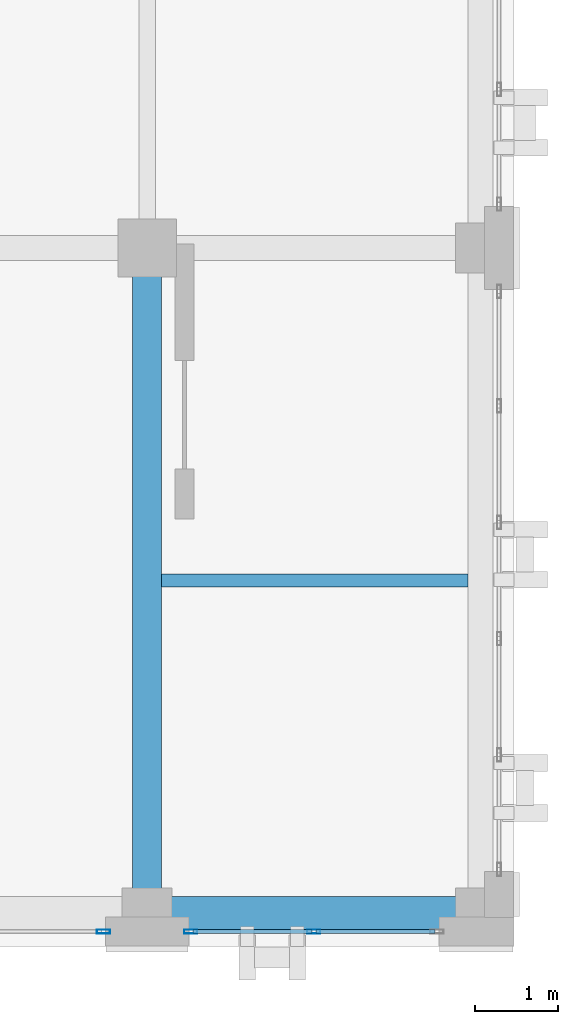
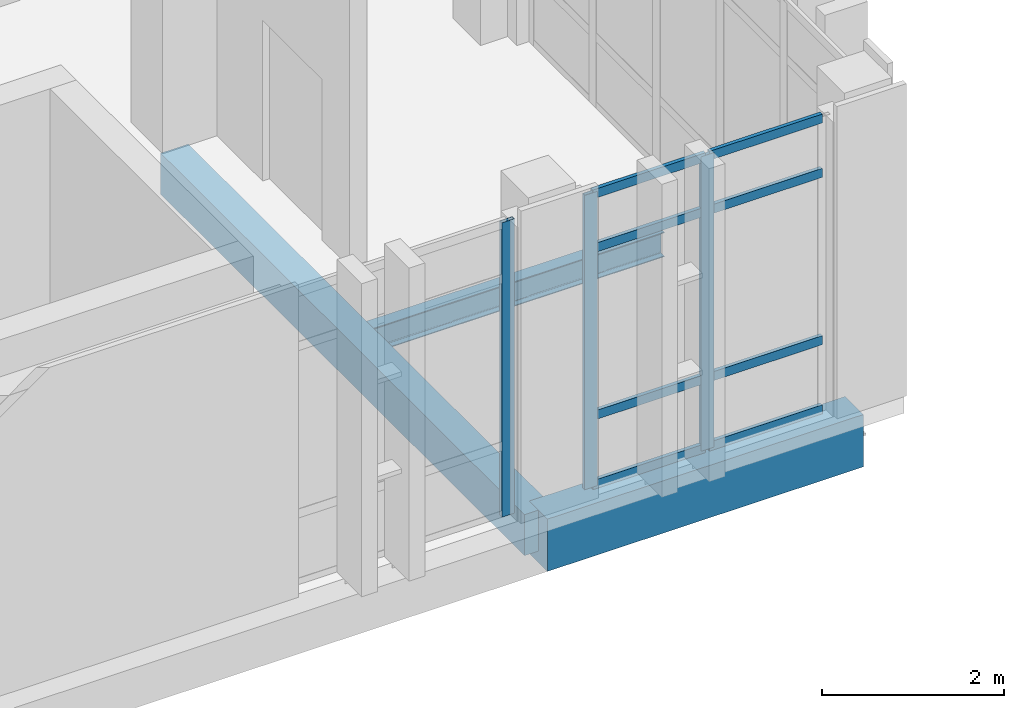
# One storey, part 3 of 48: 11 members, 3 beams, 2 elements without a shape of their own.
"""IFC4 building model written with IfcOpenShell, lengths in metres."""

import ifcopenshell
import ifcopenshell.guid

model = None  # the IFC model being written
_history = None  # IfcOwnerHistory: only IFC2X3 demands one
_inside = {}  # id of a spatial element -> (the spatial element, [elements in it])
_under = {}  # id of a project, library or spatial element -> (it, [spatial elements below it])
_declared = {}  # id of a project -> (the project, [libraries it declares])
_typed = {}  # id of a type object -> (the type object, [elements of that type])
_made_of = {}  # id of a material, layer set ... -> (it, [elements and type objects made of it])


def new_model(schema):
    """Start an empty IFC model of exactly this schema.

    Asked for "IFC4X3", IfcOpenShell would pick the latest addendum, in which some entities
    have other attributes; the version numbers below select the first issue.
    IFC2X3 requires an IfcOwnerHistory on every rooted entity: one is made here for all.
    """
    global model, _history
    if schema == "IFC4X3":
        model = ifcopenshell.file(schema_version=(4, 3, 0, 0))
    else:
        model = ifcopenshell.file(schema=schema)
    _inside.clear()
    _under.clear()
    _declared.clear()
    _typed.clear()
    _made_of.clear()
    _history = None
    if model.schema == "IFC2X3":
        org = make("IfcOrganization", Name="unknown")
        user = make(
            "IfcPersonAndOrganization",
            ThePerson=make("IfcPerson", FamilyName="unknown"),
            TheOrganization=org,
        )
        app = make(
            "IfcApplication",
            ApplicationDeveloper=org,
            Version="unknown",
            ApplicationFullName="unknown",
            ApplicationIdentifier="unknown",
        )
        _history = make(
            "IfcOwnerHistory",
            OwningUser=user,
            OwningApplication=app,
            ChangeAction="ADDED",
            CreationDate=0,
        )
    return model


def make(cls, **values):
    """One entity of the class cls with the attributes given. An attribute that is None is left unset."""
    return model.create_entity(
        cls, **{name: value for name, value in values.items() if value is not None}
    )


def rooted(cls, **values):
    """An entity with a GlobalId (a new one), such as an element, a storey or a relation."""
    return make(cls, GlobalId=ifcopenshell.guid.new(), OwnerHistory=_history, **values)


def si_unit(unit_type, name, prefix=None):
    """IfcSIUnit, for example si_unit("LENGTHUNIT", "METRE", prefix="MILLI")."""
    return make("IfcSIUnit", UnitType=unit_type, Prefix=prefix, Name=name)


def assignment(units):
    """IfcUnitAssignment: the units of a project."""
    return None if units is None else make("IfcUnitAssignment", Units=units)


def point(xyz):
    """IfcCartesianPoint."""
    return None if xyz is None else make("IfcCartesianPoint", Coordinates=xyz)


def direction(xyz):
    """IfcDirection."""
    return None if xyz is None else make("IfcDirection", DirectionRatios=xyz)


def frame(location, z_axis=None, x_axis=None):
    """IfcAxis2Placement3D, a coordinate frame: its origin and axes. An axis left out is left unset."""
    return make(
        "IfcAxis2Placement3D",
        Location=point(location),
        Axis=direction(z_axis),
        RefDirection=direction(x_axis),
    )


def frame_2d(location, x_axis=None):
    """IfcAxis2Placement2D, a coordinate frame in the plane: its origin and x axis."""
    return make(
        "IfcAxis2Placement2D", Location=point(location), RefDirection=direction(x_axis)
    )


def origin():
    """The frame at (0, 0, 0) with its axes left unset."""
    return frame((0.0, 0.0, 0.0))


def origin_2d():
    """The frame at (0, 0) in the plane with its x axis left unset."""
    return frame_2d((0.0, 0.0))


def place(relative_to, where):
    """IfcLocalPlacement: puts the frame where relative to a parent placement (None: the world)."""
    return make(
        "IfcLocalPlacement", PlacementRelTo=relative_to, RelativePlacement=where
    )


def context(
    kind, dimensions, precision=None, world=None, true_north=None, identifier=None
):
    """IfcGeometricRepresentationContext, for example the 3D "Model" context."""
    return make(
        "IfcGeometricRepresentationContext",
        ContextIdentifier=identifier,
        ContextType=kind,
        CoordinateSpaceDimension=dimensions,
        Precision=precision,
        WorldCoordinateSystem=world,
        TrueNorth=true_north,
    )


def subcontext(parent, identifier, kind, view, scale=None):
    """IfcGeometricRepresentationSubContext, for example "Body" below "Model"."""
    return make(
        "IfcGeometricRepresentationSubContext",
        ContextIdentifier=identifier,
        ContextType=kind,
        ParentContext=parent,
        TargetScale=scale,
        TargetView=view,
    )


def project(units=None, contexts=None):
    """IfcProject with its units and contexts."""
    return rooted(
        "IfcProject",
        Name="project",
        RepresentationContexts=contexts,
        UnitsInContext=assignment(units),
    )


def spatial(cls, under=None, at=None, **own):
    """A site, building, storey or space (cls), placed at a placement, below another one or the project."""
    s = rooted(cls, ObjectPlacement=at, **own)
    if under is not None:
        _under.setdefault(under.id(), (under, []))[1].append(s)
    return s


def profile(cls, at=None, kind="AREA", **sizes):
    """A parametric profile (cls). Its sizes go by their IFC names, for example OverallWidth=200.0."""
    return make(cls, ProfileType=kind, Position=at, **sizes)


def rectangle(**sizes):
    """IfcRectangleProfileDef."""
    return profile("IfcRectangleProfileDef", **sizes)


def hollow_rectangle(**sizes):
    """IfcRectangleHollowProfileDef."""
    return profile("IfcRectangleHollowProfileDef", **sizes)


def i_section(**sizes):
    """IfcIShapeProfileDef."""
    return profile("IfcIShapeProfileDef", **sizes)


def extrude(swept, where, along, depth):
    """IfcExtrudedAreaSolid: the profile swept, set in the frame where, extruded along a direction by depth."""
    return make(
        "IfcExtrudedAreaSolid",
        SweptArea=swept,
        Position=where,
        ExtrudedDirection=direction(along),
        Depth=depth,
    )


def shape(context_of_items, identifier, shape_type, items):
    """IfcShapeRepresentation: the items that make up one representation, for example the "Body"."""
    return make(
        "IfcShapeRepresentation",
        ContextOfItems=context_of_items,
        RepresentationIdentifier=identifier,
        RepresentationType=shape_type,
        Items=items,
    )


def material(Name=None, Category=None):
    """IfcMaterial."""
    return make("IfcMaterial", Name=Name, Category=Category)


def layer(
    of_material, thickness, ventilated=None, Name=None, Category=None, Priority=None
):
    """IfcMaterialLayer: one layer of a wall or slab, of a material (None: an air gap)."""
    return make(
        "IfcMaterialLayer",
        Material=of_material,
        LayerThickness=thickness,
        IsVentilated=ventilated,
        Name=Name,
        Category=Category,
        Priority=Priority,
    )


def layer_set(layers, Name=None):
    """IfcMaterialLayerSet."""
    return make("IfcMaterialLayerSet", MaterialLayers=layers, LayerSetName=Name)


def material_profile(
    of_material, cross_section, Name=None, Category=None, Priority=None
):
    """IfcMaterialProfile: a cross section and its material."""
    return make(
        "IfcMaterialProfile",
        Name=Name,
        Material=of_material,
        Profile=cross_section,
        Priority=Priority,
        Category=Category,
    )


def profile_set(profiles, Name=None, composite=None):
    """IfcMaterialProfileSet."""
    return make(
        "IfcMaterialProfileSet",
        Name=Name,
        MaterialProfiles=profiles,
        CompositeProfile=composite,
    )


def made_of(thing, what):
    """Note that an element or type object is made of a material, layer set ...; save() writes the relation."""
    if what is not None:
        _made_of.setdefault(what.id(), (what, []))[1].append(thing)
    return thing


def type_object(cls, material=None, **own):
    """A type object (cls), such as IfcWallType, which elements share."""
    return made_of(rooted(cls, **own), material)


def element(
    cls,
    number,
    at=None,
    inside=None,
    cuts=None,
    type_object=None,
    material=None,
    context=None,
    identifier="Body",
    shape_type=None,
    held_by="IfcProductDefinitionShape",
    body=None,
    shapes=None,
    **own,
):
    """One element of the class cls, such as IfcWall. Its Tag is "e" and its number.

    at: its placement. inside: the storey or other place that contains it. cuts: it is an
    opening in that element (IfcRelVoidsElement). A single representation is given by context,
    identifier, shape_type and body (its items); several are given by shapes. held_by: the class
    of the entity that holds the representations. save() writes the other relations.
    """
    e = rooted(cls, Tag="e%d" % number, ObjectPlacement=at, **own)
    if body is not None:
        shapes = [shape(context, identifier, shape_type, body)]
    if shapes is not None:
        e.Representation = make(held_by, Representations=shapes)
    if inside is not None:
        _inside.setdefault(inside.id(), (inside, []))[1].append(e)
    if cuts is not None:
        rooted(
            "IfcRelVoidsElement", RelatingBuildingElement=cuts, RelatedOpeningElement=e
        )
    if type_object is not None:
        _typed.setdefault(type_object.id(), (type_object, []))[1].append(e)
    return made_of(e, material)


def aggregate(whole, parts):
    """IfcRelAggregates: a whole, such as a stair, and the parts it consists of."""
    return rooted("IfcRelAggregates", RelatingObject=whole, RelatedObjects=parts)


def save(model, path):
    """Write the relations noted so far, then the file.

    IfcRelAggregates (storeys below a building ...), IfcRelContainedInSpatialStructure (elements
    in a storey), IfcRelDefinesByType, IfcRelAssociatesMaterial and IfcRelDeclares: one each for
    every whole, place, type object, material and project.
    """
    for whole, parts in _under.values():
        aggregate(whole, parts)
    for where, things in _inside.values():
        rooted(
            "IfcRelContainedInSpatialStructure",
            RelatedElements=things,
            RelatingStructure=where,
        )
    for kind, things in _typed.values():
        rooted("IfcRelDefinesByType", RelatedObjects=things, RelatingType=kind)
    for what, things in _made_of.values():
        rooted("IfcRelAssociatesMaterial", RelatedObjects=things, RelatingMaterial=what)
    for by, libraries in _declared.values():
        rooted("IfcRelDeclares", RelatingContext=by, RelatedDefinitions=libraries)
    model.write(path)


model = new_model("IFC4")

# Units and contexts
model_context = context("Model", 3, precision=1e-05, world=origin(), true_north=direction((0.0, 1.0)))
body_context = subcontext(model_context, "Body", "Model", "MODEL_VIEW")
ifc_project = project(units=[si_unit("LENGTHUNIT", "METRE"), si_unit("AREAUNIT", "SQUARE_METRE"), si_unit("VOLUMEUNIT", "CUBIC_METRE"), si_unit("PLANEANGLEUNIT", "RADIAN"), si_unit("MASSUNIT", "GRAM", prefix="KILO")], contexts=[model_context])

# Site, building, storey
site_placement = place(None, origin())
site = spatial("IfcSite", under=ifc_project, at=site_placement, CompositionType="ELEMENT")
building_placement = place(site_placement, origin())
building = spatial("IfcBuilding", under=site, at=building_placement, Name="Qalavern Law Courts", CompositionType="ELEMENT")
storey_placement = place(building_placement, frame((0.0, 0.0, 31.199951171875)))
storey = spatial("IfcBuildingStorey", under=building, at=storey_placement, Name="L07", CompositionType="ELEMENT", Elevation=31.199951171875)

# Curtain wall, member
ifc_material_1 = material(Name="Anodised aluminium and insulated glazing", Category="aluminium")
ifc_layer = layer(ifc_material_1, 0.159912109375)
ifc_layer_set = layer_set([ifc_layer], Name="Anodised aluminium and insulated glazing")
curtain_wall_type = type_object("IfcCurtainWallType", Name="ENV-CW-CHAMB", PredefinedType="USERDEFINED", material=ifc_layer_set)
curtain_wall_1_placement = place(storey_placement, origin())
curtain_wall_1 = element("IfcCurtainWall", 1, at=curtain_wall_1_placement, inside=storey, type_object=curtain_wall_type, Name="V3 unitised curtain wall L07 south 1", ObjectType="UNITISED CURTAIN WALL", PredefinedType="USERDEFINED")
ifc_material_2 = material(Name="Anodised aluminium", Category="aluminium")
ifc_material_profile_1 = material_profile(ifc_material_2, hollow_rectangle(XDim=0.048095703125, YDim=0.159912109375, WallThickness=0.00390625, at=origin_2d()), Name="ALU MULLION 48x160")
ifc_profile_set_1 = profile_set([ifc_material_profile_1], Name="Anodised aluminium")
member_type_1 = type_object("IfcMemberType", Name="ENV-CWM-48x160", PredefinedType="MULLION", material=ifc_profile_set_1)
member_1_placement = place(storey_placement, frame((13.8759765625, 41.197509765625, 0.0), z_axis=(0.0, 0.0, 1.0), x_axis=(0.0, 1.0, 0.0)))
member_1 = element("IfcMember", 2, at=member_1_placement, type_object=member_type_1, Name="CW-04 mullion 3", PredefinedType="MULLION", context=body_context, shape_type="SweptSolid", body=[
    extrude(hollow_rectangle(XDim=0.048095703125, YDim=0.159912109375, WallThickness=0.00390625, at=origin_2d()), origin(), (0.0, 0.0, 1.0), 3.93994140625),
])
aggregate(curtain_wall_1, [member_1])

# Curtain wall, members
curtain_wall_2_placement = place(storey_placement, origin())
curtain_wall_2 = element("IfcCurtainWall", 3, at=curtain_wall_2_placement, inside=storey, type_object=curtain_wall_type, Name="V3 unitised curtain wall L07 south 2", ObjectType="UNITISED CURTAIN WALL", PredefinedType="USERDEFINED")
member_2_placement = place(storey_placement, frame((14.924072265625, 41.197509765625, 0.0), z_axis=(0.0, 0.0, 1.0), x_axis=(0.0, 1.0, 0.0)))
member_2 = element("IfcMember", 4, at=member_2_placement, type_object=member_type_1, Name="CW-04 mullion 1", PredefinedType="MULLION", context=body_context, shape_type="SweptSolid", body=[
    extrude(hollow_rectangle(XDim=0.048095703125, YDim=0.159912109375, WallThickness=0.00390625, at=origin_2d()), origin(), (0.0, 0.0, 1.0), 3.93994140625),
])
member_3_placement = place(storey_placement, frame((16.39990234375, 41.197509765625, 0.0), z_axis=(0.0, 0.0, 1.0), x_axis=(0.0, 1.0, 0.0)))
member_3 = element("IfcMember", 5, at=member_3_placement, type_object=member_type_1, Name="CW-04 mullion 2", PredefinedType="MULLION", context=body_context, shape_type="SweptSolid", body=[
    extrude(hollow_rectangle(XDim=0.048095703125, YDim=0.159912109375, WallThickness=0.00390625, at=origin_2d()), origin(), (0.0, 0.0, 1.0), 3.93994140625),
])
ifc_material_profile_2 = material_profile(ifc_material_2, hollow_rectangle(XDim=0.048095703125, YDim=0.1201171875, WallThickness=0.00390625, at=origin_2d()), Name="ALU TRANSOM 48x120")
ifc_profile_set_2 = profile_set([ifc_material_profile_2], Name="Anodised aluminium")
member_type_2 = type_object("IfcMemberType", Name="ENV-CWT-48x120", PredefinedType="USERDEFINED", material=ifc_profile_set_2)
member_4_placement = place(storey_placement, frame((14.947998046875, 41.197509765625, 0.024169921875), z_axis=(1.0, 0.0, 0.0), x_axis=(0.0, 1.0, 0.0)))
member_4 = element("IfcMember", 6, at=member_4_placement, type_object=member_type_2, Name="CW-04 transom 1.1", ObjectType="TRANSOM", PredefinedType="USERDEFINED", context=body_context, shape_type="SweptSolid", body=[
    extrude(hollow_rectangle(XDim=0.048095703125, YDim=0.1201171875, WallThickness=0.00390625, at=origin_2d()), origin(), (0.0, 0.0, 1.0), 1.427978515625),
])
member_5_placement = place(storey_placement, frame((14.947998046875, 41.197509765625, 0.949951171875), z_axis=(1.0, 0.0, 0.0), x_axis=(0.0, 1.0, 0.0)))
member_5 = element("IfcMember", 7, at=member_5_placement, type_object=member_type_2, Name="CW-04 transom 1.2", ObjectType="TRANSOM", PredefinedType="USERDEFINED", context=body_context, shape_type="SweptSolid", body=[
    extrude(hollow_rectangle(XDim=0.048095703125, YDim=0.1201171875, WallThickness=0.00390625, at=origin_2d()), origin(), (0.0, 0.0, 1.0), 1.427978515625),
])
member_6_placement = place(storey_placement, frame((14.947998046875, 41.197509765625, 3.18994140625), z_axis=(1.0, 0.0, 0.0), x_axis=(0.0, 1.0, 0.0)))
member_6 = element("IfcMember", 8, at=member_6_placement, type_object=member_type_2, Name="CW-04 transom 1.3", ObjectType="TRANSOM", PredefinedType="USERDEFINED", context=body_context, shape_type="SweptSolid", body=[
    extrude(hollow_rectangle(XDim=0.048095703125, YDim=0.1201171875, WallThickness=0.00390625, at=origin_2d()), origin(), (0.0, 0.0, 1.0), 1.427978515625),
])
member_7_placement = place(storey_placement, frame((14.947998046875, 41.197509765625, 3.916015625), z_axis=(1.0, 0.0, 0.0), x_axis=(0.0, 1.0, 0.0)))
member_7 = element("IfcMember", 9, at=member_7_placement, type_object=member_type_2, Name="CW-04 transom 1.4", ObjectType="TRANSOM", PredefinedType="USERDEFINED", context=body_context, shape_type="SweptSolid", body=[
    extrude(hollow_rectangle(XDim=0.048095703125, YDim=0.1201171875, WallThickness=0.00390625, at=origin_2d()), origin(), (0.0, 0.0, 1.0), 1.427978515625),
])
member_8_placement = place(storey_placement, frame((16.424072265625, 41.197509765625, 0.024169921875), z_axis=(1.0, 0.0, 0.0), x_axis=(0.0, 1.0, 0.0)))
member_8 = element("IfcMember", 10, at=member_8_placement, type_object=member_type_2, Name="CW-04 transom 2.1", ObjectType="TRANSOM", PredefinedType="USERDEFINED", context=body_context, shape_type="SweptSolid", body=[
    extrude(hollow_rectangle(XDim=0.048095703125, YDim=0.1201171875, WallThickness=0.00390625, at=origin_2d()), origin(), (0.0, 0.0, 1.0), 1.427978515625),
])
member_9_placement = place(storey_placement, frame((16.424072265625, 41.197509765625, 0.949951171875), z_axis=(1.0, 0.0, 0.0), x_axis=(0.0, 1.0, 0.0)))
member_9 = element("IfcMember", 11, at=member_9_placement, type_object=member_type_2, Name="CW-04 transom 2.2", ObjectType="TRANSOM", PredefinedType="USERDEFINED", context=body_context, shape_type="SweptSolid", body=[
    extrude(hollow_rectangle(XDim=0.048095703125, YDim=0.1201171875, WallThickness=0.00390625, at=origin_2d()), origin(), (0.0, 0.0, 1.0), 1.427978515625),
])
member_10_placement = place(storey_placement, frame((16.424072265625, 41.197509765625, 3.18994140625), z_axis=(1.0, 0.0, 0.0), x_axis=(0.0, 1.0, 0.0)))
member_10 = element("IfcMember", 12, at=member_10_placement, type_object=member_type_2, Name="CW-04 transom 2.3", ObjectType="TRANSOM", PredefinedType="USERDEFINED", context=body_context, shape_type="SweptSolid", body=[
    extrude(hollow_rectangle(XDim=0.048095703125, YDim=0.1201171875, WallThickness=0.00390625, at=origin_2d()), origin(), (0.0, 0.0, 1.0), 1.427978515625),
])
member_11_placement = place(storey_placement, frame((16.424072265625, 41.197509765625, 3.916015625), z_axis=(1.0, 0.0, 0.0), x_axis=(0.0, 1.0, 0.0)))
member_11 = element("IfcMember", 13, at=member_11_placement, type_object=member_type_2, Name="CW-04 transom 2.4", ObjectType="TRANSOM", PredefinedType="USERDEFINED", context=body_context, shape_type="SweptSolid", body=[
    extrude(hollow_rectangle(XDim=0.048095703125, YDim=0.1201171875, WallThickness=0.00390625, at=origin_2d()), origin(), (0.0, 0.0, 1.0), 1.427978515625),
])
aggregate(curtain_wall_2, [member_2, member_3, member_4, member_5, member_6, member_7, member_8, member_9, member_10, member_11])

# Beams
ifc_material_3 = material(Name="Concrete C35/45", Category="concrete")
ifc_material_profile_3 = material_profile(ifc_material_3, rectangle(XDim=0.35009765625, YDim=0.550048828125, at=origin_2d()), Name="RC 350x550")
ifc_profile_set_3 = profile_set([ifc_material_profile_3], Name="Concrete C35/45")
beam_type_1 = type_object("IfcBeamType", Name="STR-BM-RC350x550", PredefinedType="BEAM", material=ifc_profile_set_3)
beam_1_placement = place(storey_placement, frame((14.39990234375, 41.419921875, -0.5400390625), z_axis=(0.0, 1.0, 0.0), x_axis=(-1.0, 0.0, 0.0)))
element("IfcBeam", 14, at=beam_1_placement, inside=storey, type_object=beam_type_1, Name="V3 Y-beam 2-1 L07", PredefinedType="BEAM", context=body_context, shape_type="SweptSolid", body=[
    extrude(rectangle(XDim=0.35009765625, YDim=0.550048828125, at=origin_2d()), origin(), (0.0, 0.0, 1.0), 7.97998046875),
])
ifc_material_4 = material(Name="Steel S355", Category="steel")
ifc_material_profile_4 = material_profile(ifc_material_4, i_section(OverallWidth=0.159912109375, OverallDepth=0.330078125, WebThickness=0.007568359375, FlangeThickness=0.011474609375, FilletRadius=0.01806640625, at=origin_2d()), Name="IPE 330")
ifc_profile_set_4 = profile_set([ifc_material_profile_4], Name="Steel S355")
beam_type_2 = type_object("IfcBeamType", Name="STR-JST-IPE330", PredefinedType="JOIST", material=ifc_profile_set_4)
beam_2_placement = place(storey_placement, frame((14.572998046875, 45.409912109375, -0.429931640625), z_axis=(1.0, 0.0, 0.0), x_axis=(0.0, 1.0, 0.0)))
element("IfcBeam", 15, at=beam_2_placement, inside=storey, type_object=beam_type_2, Name="V3 secondary joist 2.1.1 L07", PredefinedType="JOIST", context=body_context, shape_type="SweptSolid", body=[
    extrude(i_section(OverallWidth=0.159912109375, OverallDepth=0.330078125, WebThickness=0.007568359375, FlangeThickness=0.011474609375, FilletRadius=0.01806640625, at=origin_2d()), origin(), (0.0, 0.0, 1.0), 3.678955078125),
])
ifc_material_5 = material(Name="Concrete C40/50", Category="concrete")
ifc_material_profile_5 = material_profile(ifc_material_5, rectangle(XDim=0.39990234375, YDim=0.699951171875, at=origin_2d()), Name="RC 400x700")
ifc_profile_set_5 = profile_set([ifc_material_profile_5], Name="Concrete C40/50")
beam_type_3 = type_object("IfcBeamType", Name="STR-SP-RC400x700", PredefinedType="SPANDREL", material=ifc_profile_set_5)
beam_3_placement = place(storey_placement, frame((14.39990234375, 41.419921875, -0.614990234375), z_axis=(1.0, 0.0, 0.0), x_axis=(0.0, 1.0, 0.0)))
element("IfcBeam", 16, at=beam_3_placement, inside=storey, type_object=beam_type_3, Name="V3 X-beam 1-2 L07", PredefinedType="SPANDREL", context=body_context, shape_type="SweptSolid", body=[
    extrude(rectangle(XDim=0.39990234375, YDim=0.699951171875, at=origin_2d()), origin(), (0.0, 0.0, 1.0), 4.0),
])

save(model, "model.ifc")
